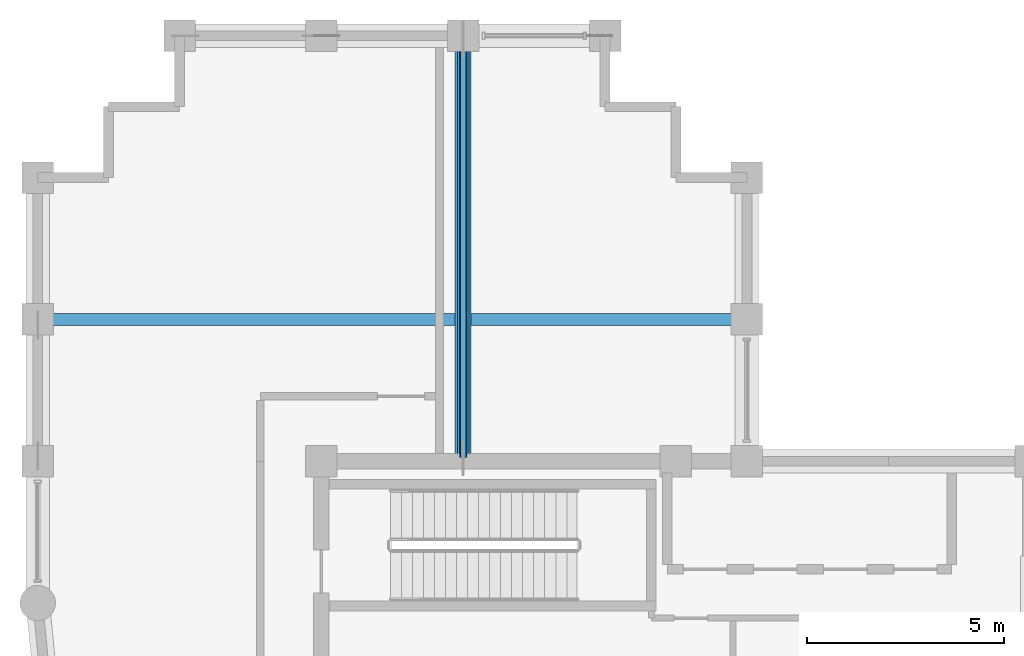
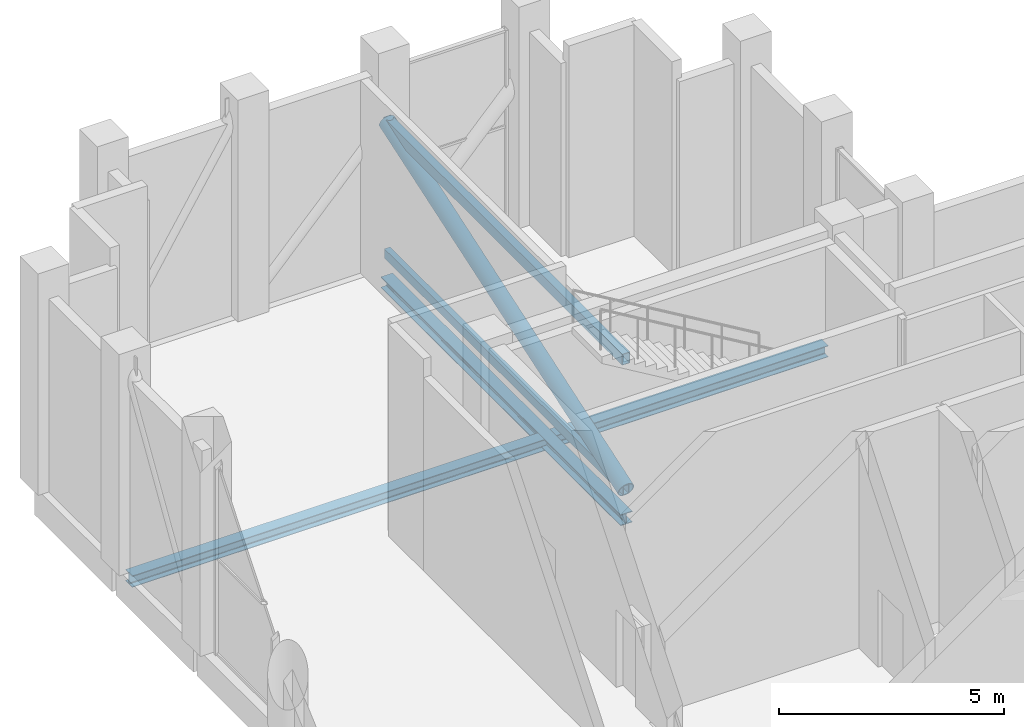
# One storey, part 7 of 17: 3 members, 2 beams.
"""IFC4 building model written with IfcOpenShell, lengths in metres."""

from ifc_helpers import new_model, si_unit, direction, frame, origin, origin_2d, place, context, subcontext, project, spatial, hollow_rectangle, hollow_circle, i_section, extrude, material, material_profile, profile_set, type_object, element, save


model = new_model("IFC4")

# Units and contexts
model_context = context("Model", 3, precision=1e-05, world=origin(), true_north=direction((0.0, 1.0)))
body_context = subcontext(model_context, "Body", "Model", "MODEL_VIEW")
ifc_project = project(units=[si_unit("LENGTHUNIT", "METRE"), si_unit("AREAUNIT", "SQUARE_METRE"), si_unit("VOLUMEUNIT", "CUBIC_METRE"), si_unit("PLANEANGLEUNIT", "RADIAN"), si_unit("MASSUNIT", "GRAM", prefix="KILO")], contexts=[model_context])

# Site, building, storey
site_placement = place(None, origin())
site = spatial("IfcSite", under=ifc_project, at=site_placement, CompositionType="ELEMENT")
building_placement = place(site_placement, origin())
building = spatial("IfcBuilding", under=site, at=building_placement, Name="Solnavia Interchange Tower", CompositionType="ELEMENT")
storey_placement = place(building_placement, frame((0.0, 0.0, 249.800048828125)))
storey = spatial("IfcBuildingStorey", under=building, at=storey_placement, Name="L63", CompositionType="ELEMENT", Elevation=249.800048828125)

# Beams
ifc_material_1 = material(Name="Steel S460", Category="steel")
ifc_material_profile_1 = material_profile(ifc_material_1, i_section(OverallWidth=0.300048828125, OverallDepth=0.300048828125, WebThickness=0.010986328125, FlangeThickness=0.01904296875, FilletRadius=0.027099609375, at=origin_2d()), Name="HEB 300")
ifc_profile_set_1 = profile_set([ifc_material_profile_1], Name="Steel S460")
beam_type_1 = type_object("IfcBeamType", Name="Beam-Girder-HEB300", PredefinedType="BEAM", material=ifc_profile_set_1)
beam_1_placement = place(storey_placement, frame((18.0, 25.280029296875, -0.469970703125), z_axis=(0.0, 1.0, 0.0), x_axis=(-1.0, 0.0, 0.0)))
element("IfcBeam", 1, at=beam_1_placement, inside=storey, type_object=beam_type_1, Name="GRD-L63-NS01 North wing spine girder", PredefinedType="BEAM", context=body_context, shape_type="SweptSolid", body=[
    extrude(i_section(OverallWidth=0.300048828125, OverallDepth=0.300048828125, WebThickness=0.010986328125, FlangeThickness=0.01904296875, FilletRadius=0.027099609375, at=origin_2d()), origin(), (0.0, 0.0, 1.0), 10.639892578125),
])
ifc_material_2 = material(Name="Steel S355", Category="steel")
ifc_material_profile_2 = material_profile(ifc_material_2, i_section(OverallWidth=0.300048828125, OverallDepth=0.31005859375, WebThickness=0.009033203125, FlangeThickness=0.015380859375, FilletRadius=0.027099609375, at=origin_2d()), Name="HEA 320")
ifc_profile_set_2 = profile_set([ifc_material_profile_2], Name="Steel S355")
beam_type_2 = type_object("IfcBeamType", Name="Beam-Primary-HEA320", PredefinedType="BEAM", material=ifc_profile_set_2)
beam_2_placement = place(storey_placement, frame((7.280029296875, 28.800048828125, -0.47509765625), z_axis=(1.0, 0.0, 0.0), x_axis=(0.0, 1.0, 0.0)))
element("IfcBeam", 2, at=beam_2_placement, inside=storey, type_object=beam_type_2, Name="GRD-L63-NW02 North wing primary floor girder", PredefinedType="BEAM", context=body_context, shape_type="SweptSolid", body=[
    extrude(i_section(OverallWidth=0.300048828125, OverallDepth=0.31005859375, WebThickness=0.009033203125, FlangeThickness=0.015380859375, FilletRadius=0.027099609375, at=origin_2d()), origin(), (0.0, 0.0, 1.0), 17.840087890625),
])

# Members
ifc_material_profile_3 = material_profile(ifc_material_2, hollow_rectangle(XDim=0.14990234375, YDim=0.25, WallThickness=0.010009765625, at=origin_2d()), Name="RHS 250x150x10")
ifc_profile_set_3 = profile_set([ifc_material_profile_3], Name="Steel S355")
member_type_1 = type_object("IfcMemberType", Name="Outrigger-Chord-RHS250", PredefinedType="CHORD", material=ifc_profile_set_3)
member_1_placement = place(storey_placement, frame((18.0, 25.300048828125, 0.300048828125), z_axis=(0.0, 1.0, 0.0), x_axis=(-1.0, 0.0, 0.0)))
element("IfcMember", 3, at=member_1_placement, inside=storey, type_object=member_type_1, Name="OTR-L63-BC01 Outrigger bottom chord", PredefinedType="CHORD", context=body_context, shape_type="SweptSolid", body=[
    extrude(hollow_rectangle(XDim=0.14990234375, YDim=0.25, WallThickness=0.010009765625, at=origin_2d()), origin(), (0.0, 0.0, 1.0), 10.599853515625),
])
ifc_material_profile_4 = material_profile(ifc_material_1, hollow_rectangle(XDim=0.199951171875, YDim=0.300048828125, WallThickness=0.012451171875, at=origin_2d()), Name="RHS 300x200x12.5")
ifc_profile_set_4 = profile_set([ifc_material_profile_4], Name="Steel S460")
member_type_2 = type_object("IfcMemberType", Name="Outrigger-Chord-RHS300", PredefinedType="CHORD", material=ifc_profile_set_4)
member_2_placement = place(storey_placement, frame((18.0, 25.300048828125, 3.849853515625), z_axis=(0.0, 1.0, 0.0), x_axis=(-1.0, 0.0, 0.0)))
element("IfcMember", 4, at=member_2_placement, inside=storey, type_object=member_type_2, Name="OTR-L63-TC01 Outrigger top chord", PredefinedType="CHORD", context=body_context, shape_type="SweptSolid", body=[
    extrude(hollow_rectangle(XDim=0.199951171875, YDim=0.300048828125, WallThickness=0.012451171875, at=origin_2d()), origin(), (0.0, 0.0, 1.0), 10.599853515625),
])
ifc_material_profile_5 = material_profile(ifc_material_1, hollow_circle(Radius=0.203125, WallThickness=0.02001953125, at=origin_2d()), Name="CHS 406.4x20")
ifc_profile_set_5 = profile_set([ifc_material_profile_5], Name="Steel S460")
member_type_3 = type_object("IfcMemberType", Name="Outrigger-Diag-CHS406", PredefinedType="BRACE", material=ifc_profile_set_5)
member_3_placement = place(storey_placement, frame((18.0, 25.300048828125, 0.300048828125), z_axis=(0.0, 0.948239008173, 0.31755752767), x_axis=(-1.0, 0.0, 0.0)))
element("IfcMember", 5, at=member_3_placement, inside=storey, type_object=member_type_3, Name="OTR-L63-DG01 Outrigger truss diagonal", PredefinedType="BRACE", context=body_context, shape_type="SweptSolid", body=[
    extrude(hollow_circle(Radius=0.203125, WallThickness=0.02001953125, at=origin_2d()), origin(), (0.0, 0.0, 1.0), 11.178466796875),
])

save(model, "model.ifc")
